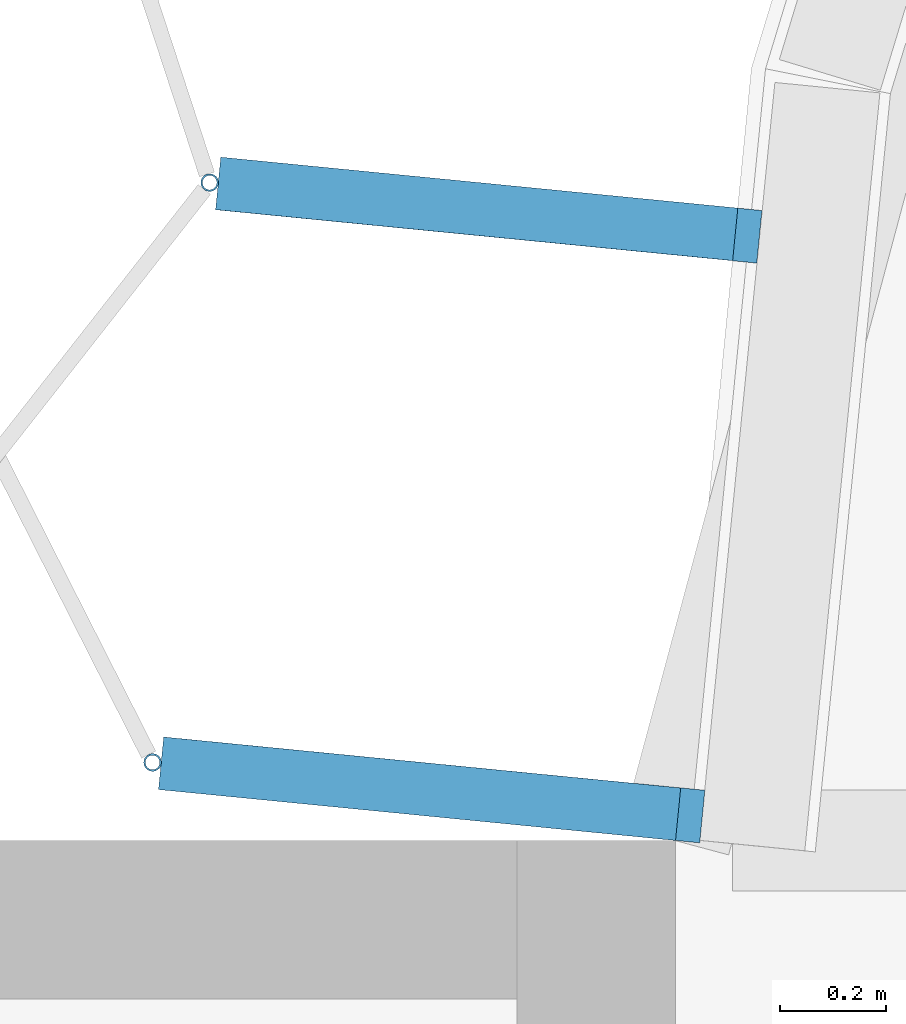
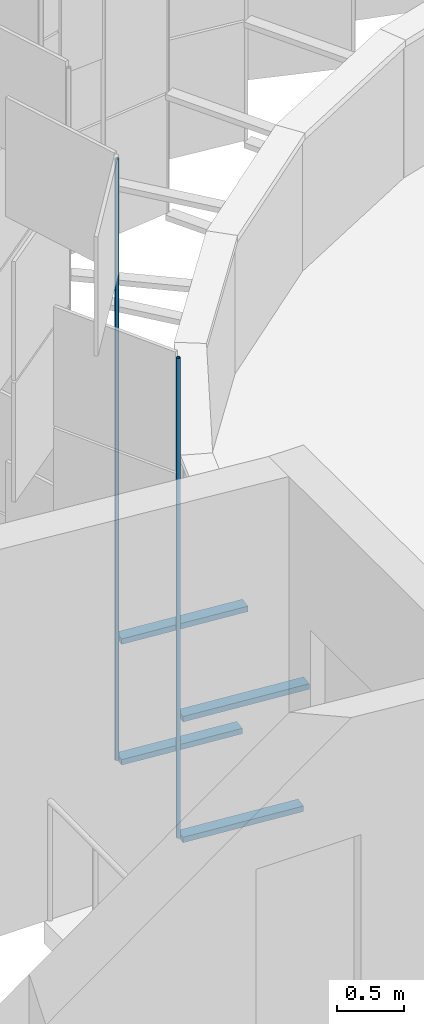
# One storey, part 328 of 483: 6 discrete accessories.
"""IFC4 building model written with IfcOpenShell, lengths in metres."""

import ifcopenshell
import ifcopenshell.guid

model = None  # the IFC model being written
_history = None  # IfcOwnerHistory: only IFC2X3 demands one
_inside = {}  # id of a spatial element -> (the spatial element, [elements in it])
_under = {}  # id of a project, library or spatial element -> (it, [spatial elements below it])
_declared = {}  # id of a project -> (the project, [libraries it declares])
_typed = {}  # id of a type object -> (the type object, [elements of that type])
_made_of = {}  # id of a material, layer set ... -> (it, [elements and type objects made of it])


def new_model(schema):
    """Start an empty IFC model of exactly this schema.

    Asked for "IFC4X3", IfcOpenShell would pick the latest addendum, in which some entities
    have other attributes; the version numbers below select the first issue.
    IFC2X3 requires an IfcOwnerHistory on every rooted entity: one is made here for all.
    """
    global model, _history
    if schema == "IFC4X3":
        model = ifcopenshell.file(schema_version=(4, 3, 0, 0))
    else:
        model = ifcopenshell.file(schema=schema)
    _inside.clear()
    _under.clear()
    _declared.clear()
    _typed.clear()
    _made_of.clear()
    _history = None
    if model.schema == "IFC2X3":
        org = make("IfcOrganization", Name="unknown")
        user = make(
            "IfcPersonAndOrganization",
            ThePerson=make("IfcPerson", FamilyName="unknown"),
            TheOrganization=org,
        )
        app = make(
            "IfcApplication",
            ApplicationDeveloper=org,
            Version="unknown",
            ApplicationFullName="unknown",
            ApplicationIdentifier="unknown",
        )
        _history = make(
            "IfcOwnerHistory",
            OwningUser=user,
            OwningApplication=app,
            ChangeAction="ADDED",
            CreationDate=0,
        )
    return model


def make(cls, **values):
    """One entity of the class cls with the attributes given. An attribute that is None is left unset."""
    return model.create_entity(
        cls, **{name: value for name, value in values.items() if value is not None}
    )


def rooted(cls, **values):
    """An entity with a GlobalId (a new one), such as an element, a storey or a relation."""
    return make(cls, GlobalId=ifcopenshell.guid.new(), OwnerHistory=_history, **values)


def si_unit(unit_type, name, prefix=None):
    """IfcSIUnit, for example si_unit("LENGTHUNIT", "METRE", prefix="MILLI")."""
    return make("IfcSIUnit", UnitType=unit_type, Prefix=prefix, Name=name)


def assignment(units):
    """IfcUnitAssignment: the units of a project."""
    return None if units is None else make("IfcUnitAssignment", Units=units)


def point(xyz):
    """IfcCartesianPoint."""
    return None if xyz is None else make("IfcCartesianPoint", Coordinates=xyz)


def direction(xyz):
    """IfcDirection."""
    return None if xyz is None else make("IfcDirection", DirectionRatios=xyz)


def frame(location, z_axis=None, x_axis=None):
    """IfcAxis2Placement3D, a coordinate frame: its origin and axes. An axis left out is left unset."""
    return make(
        "IfcAxis2Placement3D",
        Location=point(location),
        Axis=direction(z_axis),
        RefDirection=direction(x_axis),
    )


def frame_2d(location, x_axis=None):
    """IfcAxis2Placement2D, a coordinate frame in the plane: its origin and x axis."""
    return make(
        "IfcAxis2Placement2D", Location=point(location), RefDirection=direction(x_axis)
    )


def origin():
    """The frame at (0, 0, 0) with its axes left unset."""
    return frame((0.0, 0.0, 0.0))


def origin_2d():
    """The frame at (0, 0) in the plane with its x axis left unset."""
    return frame_2d((0.0, 0.0))


def place(relative_to, where):
    """IfcLocalPlacement: puts the frame where relative to a parent placement (None: the world)."""
    return make(
        "IfcLocalPlacement", PlacementRelTo=relative_to, RelativePlacement=where
    )


def context(
    kind, dimensions, precision=None, world=None, true_north=None, identifier=None
):
    """IfcGeometricRepresentationContext, for example the 3D "Model" context."""
    return make(
        "IfcGeometricRepresentationContext",
        ContextIdentifier=identifier,
        ContextType=kind,
        CoordinateSpaceDimension=dimensions,
        Precision=precision,
        WorldCoordinateSystem=world,
        TrueNorth=true_north,
    )


def subcontext(parent, identifier, kind, view, scale=None):
    """IfcGeometricRepresentationSubContext, for example "Body" below "Model"."""
    return make(
        "IfcGeometricRepresentationSubContext",
        ContextIdentifier=identifier,
        ContextType=kind,
        ParentContext=parent,
        TargetScale=scale,
        TargetView=view,
    )


def project(units=None, contexts=None):
    """IfcProject with its units and contexts."""
    return rooted(
        "IfcProject",
        Name="project",
        RepresentationContexts=contexts,
        UnitsInContext=assignment(units),
    )


def spatial(cls, under=None, at=None, **own):
    """A site, building, storey or space (cls), placed at a placement, below another one or the project."""
    s = rooted(cls, ObjectPlacement=at, **own)
    if under is not None:
        _under.setdefault(under.id(), (under, []))[1].append(s)
    return s


def profile(cls, at=None, kind="AREA", **sizes):
    """A parametric profile (cls). Its sizes go by their IFC names, for example OverallWidth=200.0."""
    return make(cls, ProfileType=kind, Position=at, **sizes)


def rectangle(**sizes):
    """IfcRectangleProfileDef."""
    return profile("IfcRectangleProfileDef", **sizes)


def hollow_circle(**sizes):
    """IfcCircleHollowProfileDef."""
    return profile("IfcCircleHollowProfileDef", **sizes)


def extrude(swept, where, along, depth):
    """IfcExtrudedAreaSolid: the profile swept, set in the frame where, extruded along a direction by depth."""
    return make(
        "IfcExtrudedAreaSolid",
        SweptArea=swept,
        Position=where,
        ExtrudedDirection=direction(along),
        Depth=depth,
    )


def shape(context_of_items, identifier, shape_type, items):
    """IfcShapeRepresentation: the items that make up one representation, for example the "Body"."""
    return make(
        "IfcShapeRepresentation",
        ContextOfItems=context_of_items,
        RepresentationIdentifier=identifier,
        RepresentationType=shape_type,
        Items=items,
    )


def material(Name=None, Category=None):
    """IfcMaterial."""
    return make("IfcMaterial", Name=Name, Category=Category)


def material_profile(
    of_material, cross_section, Name=None, Category=None, Priority=None
):
    """IfcMaterialProfile: a cross section and its material."""
    return make(
        "IfcMaterialProfile",
        Name=Name,
        Material=of_material,
        Profile=cross_section,
        Priority=Priority,
        Category=Category,
    )


def profile_set(profiles, Name=None, composite=None):
    """IfcMaterialProfileSet."""
    return make(
        "IfcMaterialProfileSet",
        Name=Name,
        MaterialProfiles=profiles,
        CompositeProfile=composite,
    )


def made_of(thing, what):
    """Note that an element or type object is made of a material, layer set ...; save() writes the relation."""
    if what is not None:
        _made_of.setdefault(what.id(), (what, []))[1].append(thing)
    return thing


def type_object(cls, material=None, **own):
    """A type object (cls), such as IfcWallType, which elements share."""
    return made_of(rooted(cls, **own), material)


def element(
    cls,
    number,
    at=None,
    inside=None,
    cuts=None,
    type_object=None,
    material=None,
    context=None,
    identifier="Body",
    shape_type=None,
    held_by="IfcProductDefinitionShape",
    body=None,
    shapes=None,
    **own,
):
    """One element of the class cls, such as IfcWall. Its Tag is "e" and its number.

    at: its placement. inside: the storey or other place that contains it. cuts: it is an
    opening in that element (IfcRelVoidsElement). A single representation is given by context,
    identifier, shape_type and body (its items); several are given by shapes. held_by: the class
    of the entity that holds the representations. save() writes the other relations.
    """
    e = rooted(cls, Tag="e%d" % number, ObjectPlacement=at, **own)
    if body is not None:
        shapes = [shape(context, identifier, shape_type, body)]
    if shapes is not None:
        e.Representation = make(held_by, Representations=shapes)
    if inside is not None:
        _inside.setdefault(inside.id(), (inside, []))[1].append(e)
    if cuts is not None:
        rooted(
            "IfcRelVoidsElement", RelatingBuildingElement=cuts, RelatedOpeningElement=e
        )
    if type_object is not None:
        _typed.setdefault(type_object.id(), (type_object, []))[1].append(e)
    return made_of(e, material)


def aggregate(whole, parts):
    """IfcRelAggregates: a whole, such as a stair, and the parts it consists of."""
    return rooted("IfcRelAggregates", RelatingObject=whole, RelatedObjects=parts)


def save(model, path):
    """Write the relations noted so far, then the file.

    IfcRelAggregates (storeys below a building ...), IfcRelContainedInSpatialStructure (elements
    in a storey), IfcRelDefinesByType, IfcRelAssociatesMaterial and IfcRelDeclares: one each for
    every whole, place, type object, material and project.
    """
    for whole, parts in _under.values():
        aggregate(whole, parts)
    for where, things in _inside.values():
        rooted(
            "IfcRelContainedInSpatialStructure",
            RelatedElements=things,
            RelatingStructure=where,
        )
    for kind, things in _typed.values():
        rooted("IfcRelDefinesByType", RelatedObjects=things, RelatingType=kind)
    for what, things in _made_of.values():
        rooted("IfcRelAssociatesMaterial", RelatedObjects=things, RelatingMaterial=what)
    for by, libraries in _declared.values():
        rooted("IfcRelDeclares", RelatingContext=by, RelatedDefinitions=libraries)
    model.write(path)


model = new_model("IFC4")

# Units and contexts
model_context = context("Model", 3, precision=1e-05, world=origin(), true_north=direction((0.0, 1.0)))
body_context = subcontext(model_context, "Body", "Model", "MODEL_VIEW")
ifc_project = project(units=[si_unit("LENGTHUNIT", "METRE"), si_unit("AREAUNIT", "SQUARE_METRE"), si_unit("VOLUMEUNIT", "CUBIC_METRE"), si_unit("PLANEANGLEUNIT", "RADIAN"), si_unit("MASSUNIT", "GRAM", prefix="KILO")], contexts=[model_context])

# Site, building, storey
site_placement = place(None, origin())
site = spatial("IfcSite", under=ifc_project, at=site_placement, CompositionType="ELEMENT")
building_placement = place(site_placement, origin())
building = spatial("IfcBuilding", under=site, at=building_placement, Name="Parallax Yard Mobility Hub", CompositionType="ELEMENT")
storey_placement = place(building_placement, frame((0.0, 0.0, 13.199951171875)))
storey = spatial("IfcBuildingStorey", under=building, at=storey_placement, Name="L04", CompositionType="ELEMENT", Elevation=13.199951171875)

# Discrete accessories
ifc_material_1 = material(Name="Steel ASTM A36, hot-dip galvanised", Category="steel")
discrete_accessory_type_1 = type_object("IfcDiscreteAccessoryType", Name="Hinge bracket plate 100x50", PredefinedType="BRACKET", material=ifc_material_1)
discrete_accessory_1_placement = place(storey_placement, frame((22.123779296875, 136.196533203125, -0.02490234375), z_axis=(0.0, 0.0, 1.0), x_axis=(-0.995184726672, 0.09801714033, 0.0)))
element("IfcDiscreteAccessory", 1, at=discrete_accessory_1_placement, inside=storey, type_object=discrete_accessory_type_1, Name="Hinge bracket plate bay 70.11 level L04", PredefinedType="BRACKET", context=body_context, shape_type="SweptSolid", body=[
    extrude(rectangle(XDim=0.984130859375, YDim=0.10009765625, at=origin_2d()), origin(), (0.0, 0.0, 1.0), 0.050048828125),
])
discrete_accessory_2_placement = place(storey_placement, frame((22.146728515625, 136.194091796875, 1.06982421875), z_axis=(0.0, 0.0, 1.0), x_axis=(-0.995184726672, 0.09801714033, 0.0)))
element("IfcDiscreteAccessory", 2, at=discrete_accessory_2_placement, inside=storey, type_object=discrete_accessory_type_1, Name="Hinge bracket plate bay 70.11 level L04", PredefinedType="BRACKET", context=body_context, shape_type="SweptSolid", body=[
    extrude(rectangle(XDim=1.030029296875, YDim=0.10009765625, at=origin_2d()), origin(), (0.0, 0.0, 1.0), 0.050048828125),
])
discrete_accessory_3_placement = place(storey_placement, frame((22.015625, 135.09814453125, -0.02490234375), z_axis=(0.0, 0.0, 1.0), x_axis=(-0.995184726672, 0.09801714033, 0.0)))
element("IfcDiscreteAccessory", 3, at=discrete_accessory_3_placement, inside=storey, type_object=discrete_accessory_type_1, Name="Hinge bracket plate bay 70.12 level L04", PredefinedType="BRACKET", context=body_context, shape_type="SweptSolid", body=[
    extrude(rectangle(XDim=0.984130859375, YDim=0.10009765625, at=origin_2d()), origin(), (0.0, 0.0, 1.0), 0.050048828125),
])
discrete_accessory_4_placement = place(storey_placement, frame((22.03857421875, 135.095947265625, 1.06982421875), z_axis=(0.0, 0.0, 1.0), x_axis=(-0.995184726672, 0.09801714033, 0.0)))
element("IfcDiscreteAccessory", 4, at=discrete_accessory_4_placement, inside=storey, type_object=discrete_accessory_type_1, Name="Hinge bracket plate bay 70.12 level L04", PredefinedType="BRACKET", context=body_context, shape_type="SweptSolid", body=[
    extrude(rectangle(XDim=1.030029296875, YDim=0.10009765625, at=origin_2d()), origin(), (0.0, 0.0, 1.0), 0.050048828125),
])
ifc_material_2 = material(Name="Steel ASTM A500 Gr C, hot-dip galvanised", Category="steel")
ifc_material_profile = material_profile(ifc_material_2, hollow_circle(Radius=0.016845703125, WallThickness=0.003173828125, at=origin_2d()), Name="CHS 33.7x3.2")
ifc_profile_set = profile_set([ifc_material_profile], Name="Steel ASTM A500 Gr C, hot-dip galvanised")
discrete_accessory_type_2 = type_object("IfcDiscreteAccessoryType", Name="Hinge post CHS 33.7x3.2", PredefinedType="BRACKET", material=ifc_profile_set)
discrete_accessory_5_placement = place(storey_placement, frame((21.617919921875, 136.246337890625, 0.0), z_axis=(0.0, 0.0, 1.0), x_axis=(1.0, 0.0, 0.0)))
element("IfcDiscreteAccessory", 5, at=discrete_accessory_5_placement, inside=storey, type_object=discrete_accessory_type_2, Name="Hinge post bay 70.11 level L04", PredefinedType="BRACKET", context=body_context, shape_type="SweptSolid", body=[
    extrude(hollow_circle(Radius=0.016845703125, WallThickness=0.003173828125, at=origin_2d()), origin(), (0.0, 0.0, 1.0), 5.449951171875),
])
discrete_accessory_6_placement = place(storey_placement, frame((21.509765625, 135.14794921875, 0.0), z_axis=(0.0, 0.0, 1.0), x_axis=(1.0, 0.0, 0.0)))
element("IfcDiscreteAccessory", 6, at=discrete_accessory_6_placement, inside=storey, type_object=discrete_accessory_type_2, Name="Hinge post bay 70.12 level L04", PredefinedType="BRACKET", context=body_context, shape_type="SweptSolid", body=[
    extrude(hollow_circle(Radius=0.016845703125, WallThickness=0.003173828125, at=origin_2d()), origin(), (0.0, 0.0, 1.0), 4.35009765625),
])

save(model, "model.ifc")
